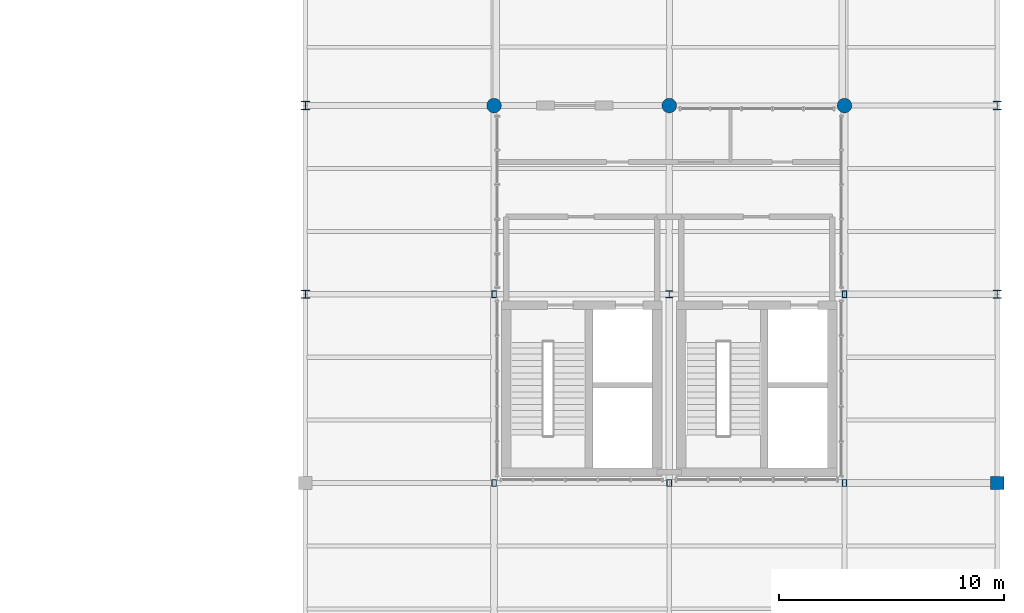
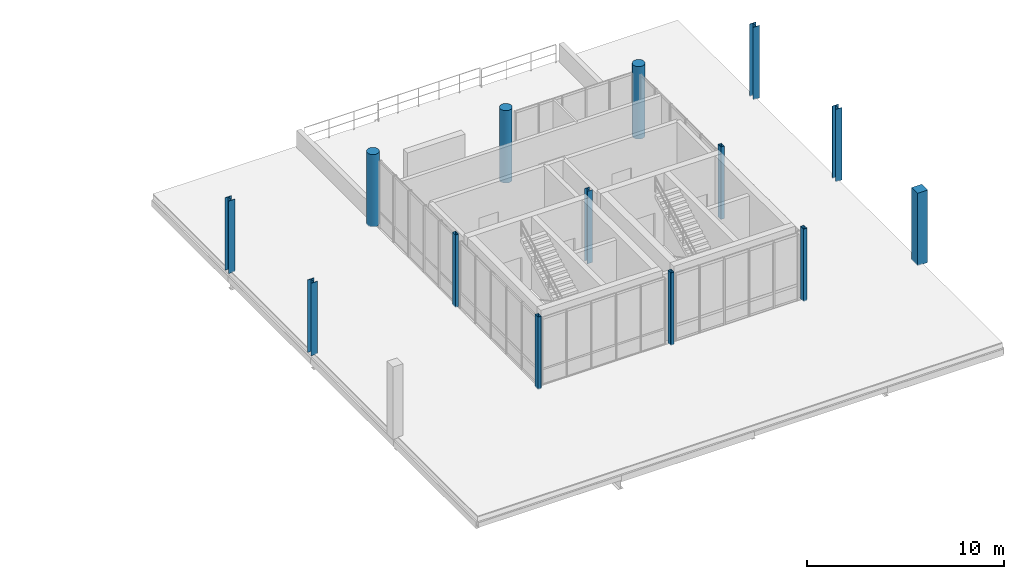
# One storey, part 5 of 66: 14 columns.
"""IFC4 building model written with IfcOpenShell, lengths in metres."""

from ifc_helpers import new_model, si_unit, direction, frame, origin_with_axes, origin_2d_with_axis, place, context, subcontext, project, spatial, rectangle, hollow_rectangle, circle, i_section, extrude, material, material_profile, profile_set, type_object, element, save


model = new_model("IFC4")

# Units and contexts
model_context = context("Model", 3, precision=1e-05, world=origin_with_axes(), true_north=direction((0.0, 1.0)))
body_context = subcontext(model_context, "Body", "Model", "MODEL_VIEW")
ifc_project = project(units=[si_unit("LENGTHUNIT", "METRE"), si_unit("AREAUNIT", "SQUARE_METRE"), si_unit("VOLUMEUNIT", "CUBIC_METRE"), si_unit("PLANEANGLEUNIT", "RADIAN"), si_unit("MASSUNIT", "GRAM", prefix="KILO"), si_unit("THERMODYNAMICTEMPERATUREUNIT", "KELVIN")], contexts=[model_context])

# Site, building, storey
site_placement = place(None, origin_with_axes())
site = spatial("IfcSite", under=ifc_project, at=site_placement, CompositionType="ELEMENT")
building_placement = place(site_placement, origin_with_axes())
building = spatial("IfcBuilding", under=site, at=building_placement, Name="Montbau Bow Law Courts", CompositionType="ELEMENT")
storey_placement = place(building_placement, frame((0.0, 0.0, 34.5), z_axis=(0.0, 0.0, 1.0), x_axis=(1.0, 0.0, 0.0)))
storey = spatial("IfcBuildingStorey", under=building, at=storey_placement, Name="L07", CompositionType="ELEMENT", Elevation=34.5)

# Columns
ifc_material_1 = material(Name="Steel CSA G40.21 Grade 350WT (350 MPa)", Category="steel")
ifc_material_profile_1 = material_profile(ifc_material_1, hollow_rectangle(XDim=0.203, YDim=0.305, WallThickness=0.0127, InnerFilletRadius=0.0254, OuterFilletRadius=0.0127, at=origin_2d_with_axis()), Name="HSS305X203X13", Category="Main", Priority=0)
ifc_profile_set_1 = profile_set([ifc_material_profile_1], Name="Steel CSA G40.21 Grade 350WT (350 MPa)")
column_type_1 = type_object("IfcColumnType", Name="C-HSS-03", PredefinedType="COLUMN", material=ifc_profile_set_1)
for number, where, z_axis, x_axis, name in (
    (1, (147.0, 86.4, 34.5), (0.0, 0.0, 1.0), (1.0, 0.0, 0.0), "C-L07-S1050:col2_1050"),
    (2, (147.0, 94.8, 34.5), (0.0, 0.0, 1.0), (1.0, 0.0, 0.0), "C-L07-S1051:col2_1051"),
    (3, (154.8, 86.4, 34.5), (0.0, 0.0, 1.0), (1.0, 0.0, 0.0), "C-L07-S1053:col2_1053"),
    (4, (162.6, 86.4, 34.5), (0.0, 0.0, 1.0), (1.0, 0.0, 0.0), "C-L07-S1056:col2_1056"),
    (5, (162.6, 94.8, 34.5), (0.0, 0.0, 1.0), (1.0, 0.0, 0.0), "C-L07-S1057:col2_1057"),
):
    element("IfcColumn", number, at=place(None, frame(where, z_axis=z_axis, x_axis=x_axis)), inside=storey, type_object=column_type_1, Name=name, PredefinedType="COLUMN", context=body_context, shape_type="SweptSolid", body=[
        extrude(hollow_rectangle(XDim=0.203, YDim=0.305, WallThickness=0.0127, InnerFilletRadius=0.0254, OuterFilletRadius=0.0127, at=origin_2d_with_axis()), origin_with_axes(), (0.0, 0.0, 1.0), 4.5),
    ])
ifc_material_2 = material(Name="Concrete CSA A23.1 f'c 40 MPa", Category="concrete")
ifc_material_profile_2 = material_profile(ifc_material_2, rectangle(XDim=0.6, YDim=0.6, at=origin_2d_with_axis()), Name="RC600X600", Category="Main", Priority=0)
ifc_profile_set_2 = profile_set([ifc_material_profile_2], Name="Concrete CSA A23.1 f'c 40 MPa")
column_type_2 = type_object("IfcColumnType", Name="C-RC-06", PredefinedType="COLUMN", material=ifc_profile_set_2)
column_1_placement = place(None, frame((169.4, 86.4, 34.5), z_axis=(0.0, 0.0, 1.0), x_axis=(1.0, 0.0, 0.0)))
element("IfcColumn", 6, at=column_1_placement, inside=storey, type_object=column_type_2, Name="C-L07-S1059:col2_1059", PredefinedType="COLUMN", context=body_context, shape_type="SweptSolid", body=[
    extrude(rectangle(XDim=0.6, YDim=0.6, at=origin_2d_with_axis()), origin_with_axes(), (0.0, 0.0, 1.0), 4.5),
])
ifc_material_profile_3 = material_profile(ifc_material_2, circle(Radius=0.325, at=origin_2d_with_axis()), Name="RC650D", Category="Main", Priority=0)
ifc_profile_set_3 = profile_set([ifc_material_profile_3], Name="Concrete CSA A23.1 f'c 40 MPa")
column_type_3 = type_object("IfcColumnType", Name="C-RC-08", PredefinedType="COLUMN", material=ifc_profile_set_3)
for number, where, z_axis, x_axis, name in (
    (7, (147.0, 103.2, 34.5), (0.0, 0.0, 1.0), (1.0, 0.0, 0.0), "C-L07-S1052:col2_1052"),
    (8, (154.8, 103.2, 34.5), (0.0, 0.0, 1.0), (1.0, 0.0, 0.0), "C-L07-S1055:col2_1055"),
    (9, (162.6, 103.2, 34.5), (0.0, 0.0, 1.0), (1.0, 0.0, 0.0), "C-L07-S1058:col2_1058"),
):
    element("IfcColumn", number, at=place(None, frame(where, z_axis=z_axis, x_axis=x_axis)), inside=storey, type_object=column_type_3, Name=name, PredefinedType="COLUMN", context=body_context, shape_type="SweptSolid", body=[
        extrude(circle(Radius=0.325, at=origin_2d_with_axis()), origin_with_axes(), (0.0, 0.0, 1.0), 4.5),
    ])
ifc_material_3 = material(Name="Steel CSA G40.21 Grade 350W (350 MPa)", Category="steel")
ifc_material_profile_4 = material_profile(ifc_material_3, i_section(OverallWidth=0.373, OverallDepth=0.368, WebThickness=0.015, FlangeThickness=0.0239, at=origin_2d_with_axis()), Name="W360X179", Category="Main", Priority=0)
ifc_profile_set_4 = profile_set([ifc_material_profile_4], Name="Steel CSA G40.21 Grade 350W (350 MPa)")
column_type_4 = type_object("IfcColumnType", Name="C-STL-04", PredefinedType="COLUMN", material=ifc_profile_set_4)
for number, where, z_axis, x_axis, name in (
    (10, (138.6, 94.8, 34.5), (0.0, 0.0, 1.0), (1.0, 0.0, 0.0), "C-L07-S1048:col2_1048"),
    (11, (138.6, 103.2, 34.5), (0.0, 0.0, 1.0), (1.0, 0.0, 0.0), "C-L07-S1049:col2_1049"),
    (12, (169.4, 94.8, 34.5), (0.0, 0.0, 1.0), (1.0, 0.0, 0.0), "C-L07-S1060:col2_1060"),
    (13, (169.4, 103.2, 34.5), (0.0, 0.0, 1.0), (1.0, 0.0, 0.0), "C-L07-S1061:col2_1061"),
):
    element("IfcColumn", number, at=place(None, frame(where, z_axis=z_axis, x_axis=x_axis)), inside=storey, type_object=column_type_4, Name=name, PredefinedType="COLUMN", context=body_context, shape_type="SweptSolid", body=[
        extrude(i_section(OverallWidth=0.373, OverallDepth=0.368, WebThickness=0.015, FlangeThickness=0.0239, at=origin_2d_with_axis()), origin_with_axes(), (0.0, 0.0, 1.0), 4.5),
    ])
ifc_material_profile_5 = material_profile(ifc_material_3, i_section(OverallWidth=0.305, OverallDepth=0.308, WebThickness=0.0099, FlangeThickness=0.0154, at=origin_2d_with_axis()), Name="W310X97", Category="Main", Priority=0)
ifc_profile_set_5 = profile_set([ifc_material_profile_5], Name="Steel CSA G40.21 Grade 350W (350 MPa)")
column_type_5 = type_object("IfcColumnType", Name="C-STL-07", PredefinedType="COLUMN", material=ifc_profile_set_5)
column_2_placement = place(None, frame((154.8, 94.8, 34.5), z_axis=(0.0, 0.0, 1.0), x_axis=(1.0, 0.0, 0.0)))
element("IfcColumn", 14, at=column_2_placement, inside=storey, type_object=column_type_5, Name="C-L07-S1054:col2_1054", PredefinedType="COLUMN", context=body_context, shape_type="SweptSolid", body=[
    extrude(i_section(OverallWidth=0.305, OverallDepth=0.308, WebThickness=0.0099, FlangeThickness=0.0154, at=origin_2d_with_axis()), origin_with_axes(), (0.0, 0.0, 1.0), 4.5),
])

save(model, "model.ifc")
